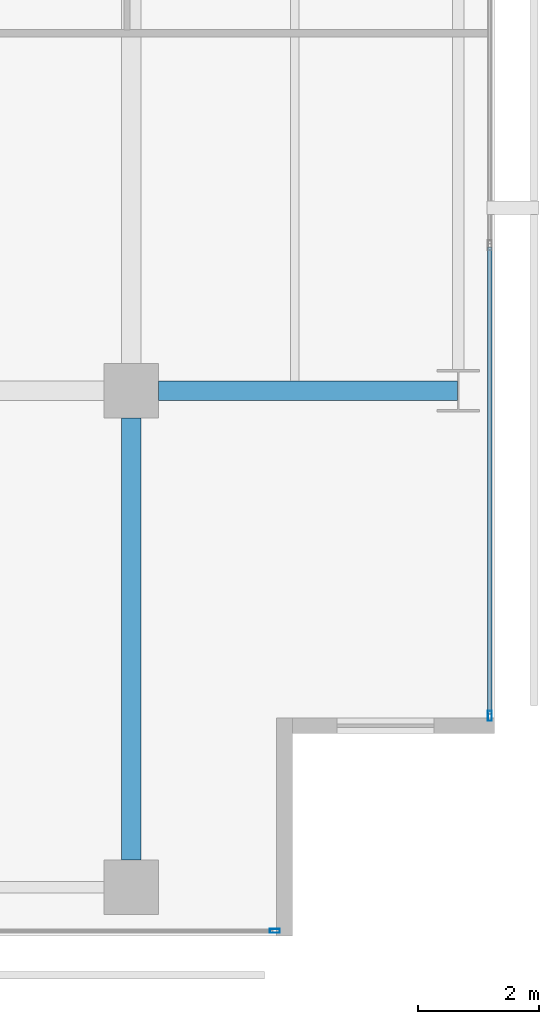
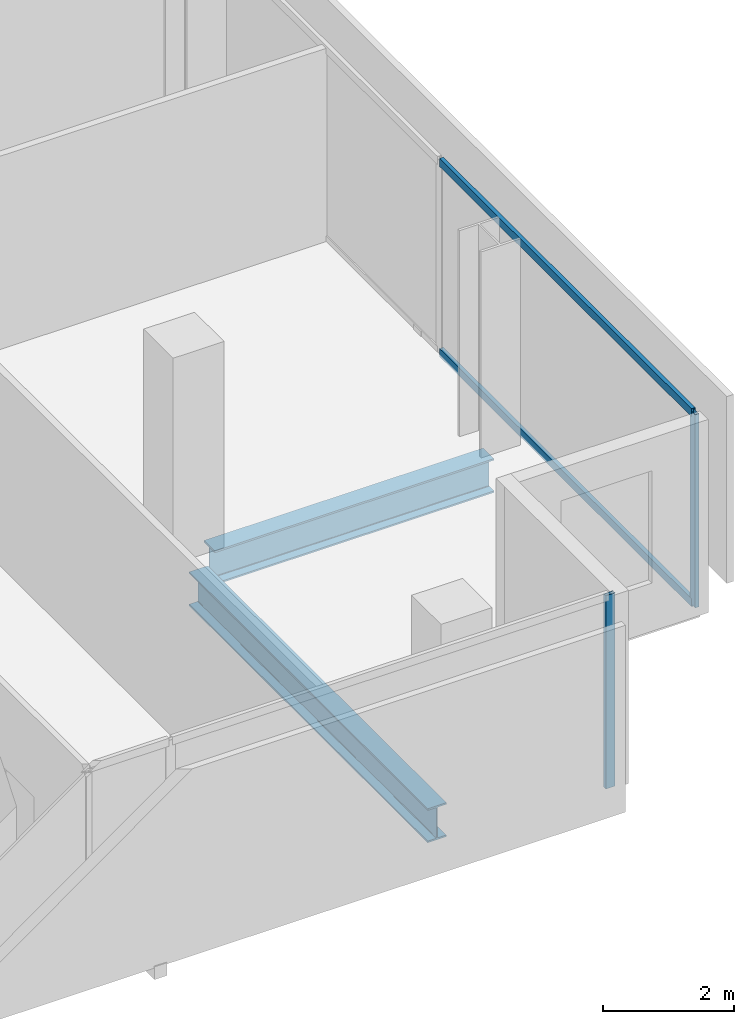
# One storey, part 16 of 40: 4 members, 2 beams, 2 elements without a shape of their own.
"""IFC4 building model written with IfcOpenShell, lengths in metres."""

from ifc_helpers import new_model, si_unit, direction, frame, origin, origin_2d, place, context, subcontext, project, spatial, hollow_rectangle, i_section, extrude, material, layer, layer_set, material_profile, profile_set, type_object, element, aggregate, save


model = new_model("IFC4")

# Units and contexts
model_context = context("Model", 3, precision=1e-05, world=origin(), true_north=direction((0.0, 1.0)))
body_context = subcontext(model_context, "Body", "Model", "MODEL_VIEW")
ifc_project = project(units=[si_unit("LENGTHUNIT", "METRE"), si_unit("AREAUNIT", "SQUARE_METRE"), si_unit("VOLUMEUNIT", "CUBIC_METRE"), si_unit("PLANEANGLEUNIT", "RADIAN"), si_unit("MASSUNIT", "GRAM", prefix="KILO")], contexts=[model_context])

# Site, building, storey
site_placement = place(None, origin())
site = spatial("IfcSite", under=ifc_project, at=site_placement, CompositionType="ELEMENT")
building_placement = place(site_placement, origin())
building = spatial("IfcBuilding", under=site, at=building_placement, Name="Maruvema Waterfront Hotel and Observation Tower", CompositionType="ELEMENT")
storey_placement = place(building_placement, frame((0.0, 0.0, 30.800048828125)))
storey = spatial("IfcBuildingStorey", under=building, at=storey_placement, Name="L06", CompositionType="ELEMENT", Elevation=30.800048828125)

# Curtain wall, members
ifc_material_1 = material(Name="Anodised bronze aluminium and solar-control low-E IGU", Category="aluminium")
ifc_layer = layer(ifc_material_1, 0.159912109375, Name="Zone 1 Bronze Inner Thermal Curtain Wall System CW-02")
ifc_layer_set = layer_set([ifc_layer], Name="Anodised bronze aluminium and solar-control low-E IGU")
curtain_wall_type = type_object("IfcCurtainWallType", Name="Zone 1 Bronze Inner Thermal Curtain Wall System CW-02", PredefinedType="USERDEFINED", material=ifc_layer_set)
curtain_wall_1_placement = place(storey_placement, origin())
curtain_wall_1 = element("IfcCurtainWall", 1, at=curtain_wall_1_placement, inside=storey, type_object=curtain_wall_type, Name="L06 Curtain Wall CW-L06-E", ObjectType="UNITISED CURTAIN WALL", PredefinedType="USERDEFINED")
ifc_material_2 = material(Name="Anodised architectural bronze aluminium", Category="aluminium")
ifc_material_profile_1 = material_profile(ifc_material_2, hollow_rectangle(XDim=0.070068359375, YDim=0.14990234375, WallThickness=0.00390625, at=origin_2d()), Name="ALU-T70x150")
ifc_profile_set_1 = profile_set([ifc_material_profile_1], Name="Anodised architectural bronze aluminium")
member_type_1 = type_object("IfcMemberType", Name="Curtain Wall Horizontal Transom ALU-T70x150", PredefinedType="USERDEFINED", material=ifc_profile_set_1)
member_1_placement = place(storey_placement, frame((64.719970703125, 3.659912109375, 0.030029296875), z_axis=(0.0, 1.0, 0.0), x_axis=(-1.0, 0.0, 0.0)))
member_1 = element("IfcMember", 2, at=member_1_placement, type_object=member_type_1, Name="CW-02 transom 1.1", ObjectType="TRANSOM", PredefinedType="USERDEFINED", context=body_context, shape_type="SweptSolid", body=[
    extrude(hollow_rectangle(XDim=0.070068359375, YDim=0.14990234375, WallThickness=0.00390625, at=origin_2d()), origin(), (0.0, 0.0, 1.0), 7.710205078125),
])
member_2_placement = place(storey_placement, frame((64.719970703125, 3.659912109375, 3.579833984375), z_axis=(0.0, 1.0, 0.0), x_axis=(-1.0, 0.0, 0.0)))
member_2 = element("IfcMember", 3, at=member_2_placement, type_object=member_type_1, Name="CW-02 transom 1.2", ObjectType="TRANSOM", PredefinedType="USERDEFINED", context=body_context, shape_type="SweptSolid", body=[
    extrude(hollow_rectangle(XDim=0.070068359375, YDim=0.14990234375, WallThickness=0.00390625, at=origin_2d()), origin(), (0.0, 0.0, 1.0), 7.710205078125),
])

# Curtain wall, member
curtain_wall_2_placement = place(storey_placement, origin())
curtain_wall_2 = element("IfcCurtainWall", 4, at=curtain_wall_2_placement, inside=storey, type_object=curtain_wall_type, Name="L06 Curtain Wall CW-L06-S", ObjectType="UNITISED CURTAIN WALL", PredefinedType="USERDEFINED")
ifc_material_3 = material(Name="Anodised architectural bronze aluminium", Category="aluminium")
ifc_material_profile_2 = material_profile(ifc_material_3, hollow_rectangle(XDim=0.06494140625, YDim=0.1650390625, WallThickness=0.00390625, at=origin_2d()), Name="ALU-M65x165")
ifc_profile_set_2 = profile_set([ifc_material_profile_2], Name="Anodised architectural bronze aluminium")
member_type_2 = type_object("IfcMemberType", Name="Curtain Wall Primary Mullion ALU-M65x165", PredefinedType="MULLION", material=ifc_profile_set_2)
member_3_placement = place(storey_placement, frame((61.169921875, 0.080078125, 0.0), z_axis=(0.0, 0.0, 1.0), x_axis=(0.0, 1.0, 0.0)))
member_3 = element("IfcMember", 5, at=member_3_placement, type_object=member_type_2, Name="CW-02 mullion 7", PredefinedType="MULLION", context=body_context, shape_type="SweptSolid", body=[
    extrude(hollow_rectangle(XDim=0.06494140625, YDim=0.1650390625, WallThickness=0.00390625, at=origin_2d()), origin(), (0.0, 0.0, 1.0), 3.60986328125),
])
aggregate(curtain_wall_2, [member_3])

# Member
member_4_placement = place(storey_placement, frame((64.719970703125, 3.6298828125, 0.0), z_axis=(0.0, 0.0, 1.0), x_axis=(-1.0, 0.0, 0.0)))
member_4 = element("IfcMember", 6, at=member_4_placement, type_object=member_type_2, Name="CW-02 mullion 1", PredefinedType="MULLION", context=body_context, shape_type="SweptSolid", body=[
    extrude(hollow_rectangle(XDim=0.06494140625, YDim=0.1650390625, WallThickness=0.00390625, at=origin_2d()), origin(), (0.0, 0.0, 1.0), 3.60986328125),
])

aggregate(curtain_wall_1, [member_4, member_1, member_2])

# Beams
ifc_material_4 = material(Name="Steel ASTM A572 Grade 50", Category="steel")
ifc_material_profile_3 = material_profile(ifc_material_4, i_section(OverallWidth=0.3291015625, OverallDepth=0.635009765625, WebThickness=0.017822265625, FlangeThickness=0.031005859375, FilletRadius=0.01806640625, at=origin_2d()), Name="W610x241.0")
ifc_profile_set_3 = profile_set([ifc_material_profile_3], Name="Steel ASTM A572 Grade 50")
beam_type = type_object("IfcBeamType", Name="Primary Floor Girder W610x241.0", PredefinedType="BEAM", material=ifc_profile_set_3)
beam_1_placement = place(storey_placement, frame((59.25, 9.0, -0.5576171875), z_axis=(1.0, 0.0, 0.0), x_axis=(0.0, 1.0, 0.0)))
element("IfcBeam", 7, at=beam_1_placement, inside=storey, type_object=beam_type, Name="L06 Floor Girder EW-12", PredefinedType="BEAM", context=body_context, shape_type="SweptSolid", body=[
    extrude(i_section(OverallWidth=0.3291015625, OverallDepth=0.635009765625, WebThickness=0.017822265625, FlangeThickness=0.031005859375, FilletRadius=0.01806640625, at=origin_2d()), origin(), (0.0, 0.0, 1.0), 4.93603515625),
])
beam_2_placement = place(storey_placement, frame((58.800048828125, 1.25, -0.5576171875), z_axis=(0.0, 1.0, 0.0), x_axis=(-1.0, 0.0, 0.0)))
element("IfcBeam", 8, at=beam_2_placement, inside=storey, type_object=beam_type, Name="L06 Floor Girder NS-27", PredefinedType="BEAM", context=body_context, shape_type="SweptSolid", body=[
    extrude(i_section(OverallWidth=0.3291015625, OverallDepth=0.635009765625, WebThickness=0.017822265625, FlangeThickness=0.031005859375, FilletRadius=0.01806640625, at=origin_2d()), origin(), (0.0, 0.0, 1.0), 7.300048828125),
])

save(model, "model.ifc")
